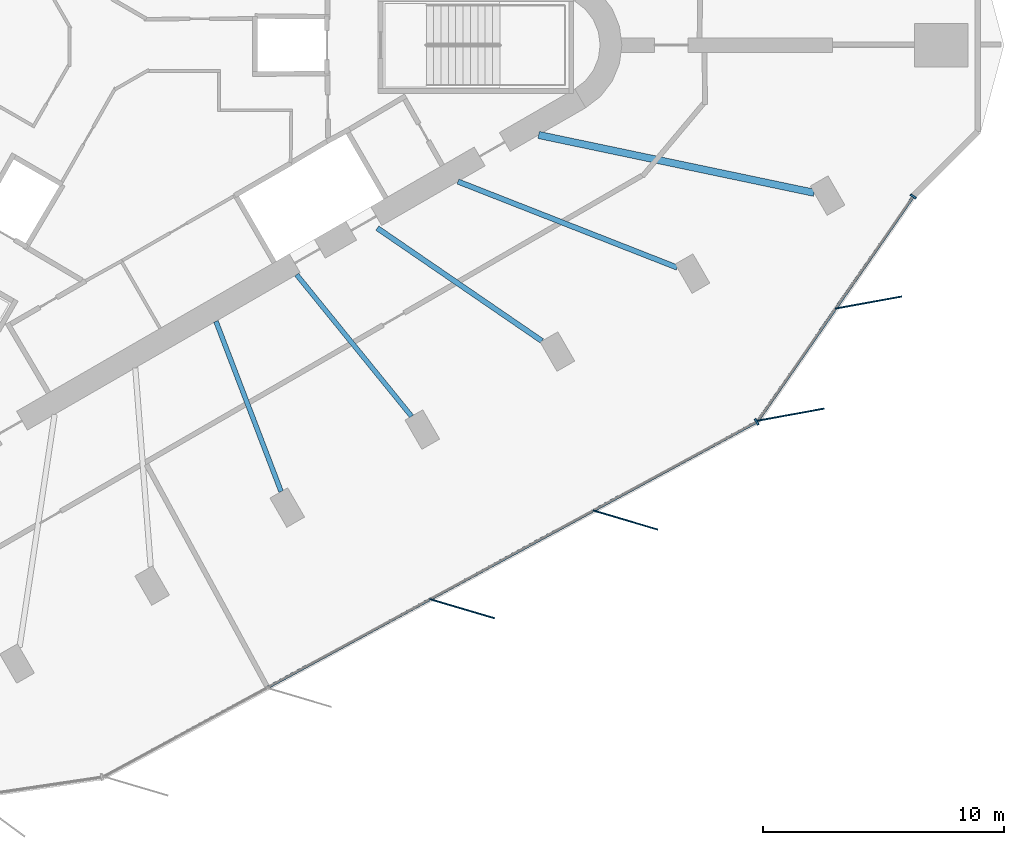
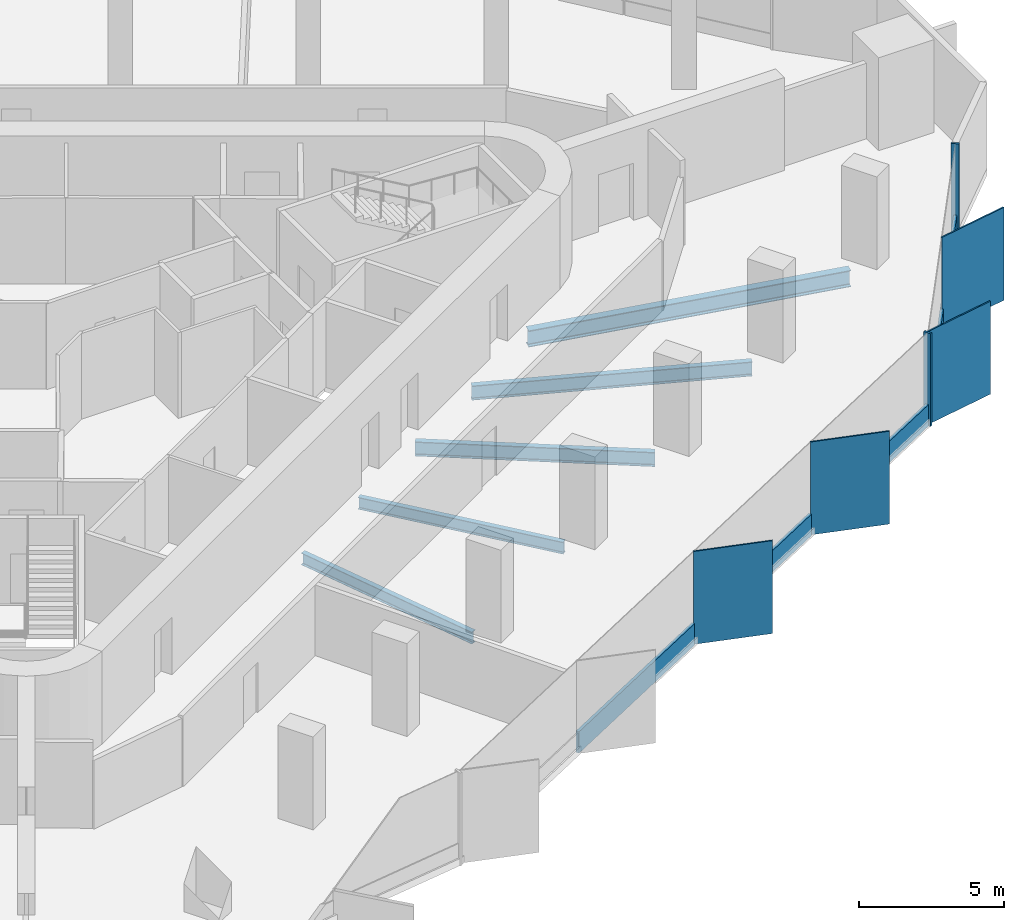
# One storey, part 3 of 13: 11 members, 5 beams, 2 elements without a shape of their own.
"""IFC4 building model written with IfcOpenShell, lengths in metres."""

from ifc_helpers import new_model, si_unit, direction, frame, origin, origin_2d, place, context, subcontext, project, spatial, rectangle, i_section, extrude, material, material_profile, profile_set, type_object, element, aggregate, save


model = new_model("IFC4")

# Units and contexts
model_context = context("Model", 3, precision=1e-05, world=origin(), true_north=direction((0.0, 1.0)))
body_context = subcontext(model_context, "Body", "Model", "MODEL_VIEW")
ifc_project = project(units=[si_unit("LENGTHUNIT", "METRE"), si_unit("AREAUNIT", "SQUARE_METRE"), si_unit("VOLUMEUNIT", "CUBIC_METRE"), si_unit("PLANEANGLEUNIT", "RADIAN"), si_unit("MASSUNIT", "GRAM", prefix="KILO")], contexts=[model_context])

# Site, building, storey
site_placement = place(None, origin())
site = spatial("IfcSite", under=ifc_project, at=site_placement, CompositionType="ELEMENT")
building_placement = place(site_placement, origin())
building = spatial("IfcBuilding", under=site, at=building_placement, Name="Tanit Gate Tower", CompositionType="ELEMENT")
storey_placement = place(building_placement, frame((0.0, 0.0, 329.89990234375)))
storey = spatial("IfcBuildingStorey", under=building, at=storey_placement, Name="L74", CompositionType="ELEMENT", Elevation=329.89990234375)

# Curtain wall, members
ifc_material_1 = material(Name="Aluminium bronze anodised and glass", Category="aluminium")
curtain_wall_type = type_object("IfcCurtainWallType", Name="Curtain wall typical high", PredefinedType="NOTDEFINED", material=ifc_material_1)
curtain_wall_1_placement = place(storey_placement, origin())
curtain_wall_1 = element("IfcCurtainWall", 1, at=curtain_wall_1_placement, inside=storey, type_object=curtain_wall_type, Name="Curtain wall L74 SE2", PredefinedType="NOTDEFINED")
ifc_material_2 = material(Name="Aluminium bronze anodised", Category="aluminium")
ifc_material_profile_1 = material_profile(ifc_material_2, rectangle(XDim=2.800048828125, YDim=0.055908203125, at=origin_2d()), Name="56x2800 bronze fin mullion")
ifc_profile_set_1 = profile_set([ifc_material_profile_1], Name="Aluminium bronze anodised")
member_type_1 = type_object("IfcMemberType", Name="FIN MULLION 56x2800 bronze", PredefinedType="MULLION", material=ifc_profile_set_1)
member_1_placement = place(storey_placement, frame((14.5791015625, -23.3525390625, -0.2998046875), z_axis=(0.0, 0.0, 1.0), x_axis=(-0.958852239174, 0.283905588939, 0.0)))
member_1 = element("IfcMember", 2, at=member_1_placement, type_object=member_type_1, Name="Fin mullion L74 SE2.3", PredefinedType="MULLION", context=body_context, shape_type="SweptSolid", body=[
    extrude(rectangle(XDim=2.800048828125, YDim=0.055908203125, at=origin_2d()), origin(), (0.0, 0.0, 1.0), 3.89990234375),
])
member_2_placement = place(storey_placement, frame((21.343505859375, -19.6787109375, -0.2998046875), z_axis=(0.0, 0.0, 1.0), x_axis=(-0.958852239174, 0.283905588939, 0.0)))
member_2 = element("IfcMember", 3, at=member_2_placement, type_object=member_type_1, Name="Fin mullion L74 SE2.4", PredefinedType="MULLION", context=body_context, shape_type="SweptSolid", body=[
    extrude(rectangle(XDim=2.800048828125, YDim=0.055908203125, at=origin_2d()), origin(), (0.0, 0.0, 1.0), 3.89990234375),
])

curtain_wall_2_placement = place(storey_placement, origin())
curtain_wall_2 = element("IfcCurtainWall", 4, at=curtain_wall_2_placement, inside=storey, type_object=curtain_wall_type, Name="Curtain wall L74 SE3", PredefinedType="NOTDEFINED")
member_3_placement = place(storey_placement, frame((28.2001953125, -15.314208984375, -0.2998046875), z_axis=(0.0, 0.0, 1.0), x_axis=(-0.983865562585, -0.178909347882, 0.0)))
member_3 = element("IfcMember", 5, at=member_3_placement, type_object=member_type_1, Name="Fin mullion L74 SE3.1", PredefinedType="MULLION", context=body_context, shape_type="SweptSolid", body=[
    extrude(rectangle(XDim=2.800048828125, YDim=0.055908203125, at=origin_2d()), origin(), (0.0, 0.0, 1.0), 3.89990234375),
])
member_4_placement = place(storey_placement, frame((31.416015625, -10.669189453125, -0.2998046875), z_axis=(0.0, 0.0, 1.0), x_axis=(-0.983865562585, -0.178909347882, 0.0)))
member_4 = element("IfcMember", 6, at=member_4_placement, type_object=member_type_1, Name="Fin mullion L74 SE3.2", PredefinedType="MULLION", context=body_context, shape_type="SweptSolid", body=[
    extrude(rectangle(XDim=2.800048828125, YDim=0.055908203125, at=origin_2d()), origin(), (0.0, 0.0, 1.0), 3.89990234375),
])

# Member
ifc_material_3 = material(Name="Aluminium bronze anodised", Category="aluminium")
ifc_material_profile_2 = material_profile(ifc_material_3, rectangle(XDim=0.280029296875, YDim=0.080078125, at=origin_2d()), Name="80x280 bronze mullion")
ifc_profile_set_2 = profile_set([ifc_material_profile_2], Name="Aluminium bronze anodised")
member_type_2 = type_object("IfcMemberType", Name="Mullion 80x280 typical high", PredefinedType="MULLION", material=ifc_profile_set_2)
member_5_placement = place(storey_placement, frame((26.784423828125, -15.613037109375, -0.2998046875), z_axis=(0.0, 0.0, 1.0), x_axis=(-0.477259353321, 0.878762487631, 0.0)))
member_5 = element("IfcMember", 7, at=member_5_placement, type_object=member_type_2, Name="Mullion L74 SE2.5", PredefinedType="MULLION", context=body_context, shape_type="SweptSolid", body=[
    extrude(rectangle(XDim=0.280029296875, YDim=0.080078125, at=origin_2d()), origin(), (0.0, 0.0, 1.0), 3.89990234375),
])

member_6_placement = place(storey_placement, frame((33.273681640625, -6.27099609375, -0.2998046875), z_axis=(0.0, 0.0, 1.0), x_axis=(-0.822206024185, 0.569189997974, 0.0)))
member_6 = element("IfcMember", 8, at=member_6_placement, type_object=member_type_2, Name="Mullion L74 SE3.3", PredefinedType="MULLION", context=body_context, shape_type="SweptSolid", body=[
    extrude(rectangle(XDim=0.280029296875, YDim=0.080078125, at=origin_2d()), origin(), (0.0, 0.0, 1.0), 3.89990234375),
])

# Beams
ifc_material_4 = material(Name="Steel S355", Category="steel")
ifc_material_profile_3 = material_profile(ifc_material_4, i_section(OverallWidth=0.300048828125, OverallDepth=0.68994140625, WebThickness=0.014404296875, FlangeThickness=0.027099609375, FilletRadius=0.027099609375, at=origin_2d()), Name="HEA 700")
ifc_profile_set_3 = profile_set([ifc_material_profile_3], Name="Steel S355")
beam_type_1 = type_object("IfcBeamType", Name="RADIAL GIRDER HEA 700 S355", PredefinedType="BEAM", material=ifc_profile_set_3)
beam_1_placement = place(storey_placement, frame((29.166015625, -6.119873046875, -0.64501953125), z_axis=(-0.978685947047, 0.205362647655, 0.0), x_axis=(-0.205362647655, -0.978685947047, 0.0)))
element("IfcBeam", 9, at=beam_1_placement, inside=storey, type_object=beam_type_1, Name="RADIAL GIRDER", PredefinedType="BEAM", context=body_context, shape_type="SweptSolid", body=[
    extrude(i_section(OverallWidth=0.300048828125, OverallDepth=0.68994140625, WebThickness=0.014404296875, FlangeThickness=0.027099609375, FilletRadius=0.027099609375, at=origin_2d()), origin(), (0.0, 0.0, 1.0), 11.662353515625),
])
ifc_material_5 = material(Name="Steel S355", Category="steel")
ifc_material_profile_4 = material_profile(ifc_material_5, i_section(OverallWidth=0.199951171875, OverallDepth=0.5, WebThickness=0.01025390625, FlangeThickness=0.01611328125, FilletRadius=0.02099609375, at=origin_2d()), Name="IPE 500")
ifc_profile_set_4 = profile_set([ifc_material_profile_4], Name="Steel S355")
beam_type_2 = type_object("IfcBeamType", Name="RADIAL GIRDER IPE 500 S355", PredefinedType="BEAM", material=ifc_profile_set_4)
for number, where, z_axis, x_axis, name in (
    (10, (7.07958984375, -18.502685546875, -0.5498046875), (-0.357365465254, 0.93396462687, 0.0), (-0.93396462687, -0.357365465254, 0.0), "RADIAL GIRDER"),
    (11, (12.484130859375, -15.38232421875, -0.5498046875), (-0.630160700976, 0.776464739023, 0.0), (-0.776464739023, -0.630160700976, 0.0), "RADIAL GIRDER"),
):
    element("IfcBeam", number, at=place(storey_placement, frame(where, z_axis=z_axis, x_axis=x_axis)), inside=storey, type_object=beam_type_2, Name=name, PredefinedType="BEAM", context=body_context, shape_type="SweptSolid", body=[
        extrude(i_section(OverallWidth=0.199951171875, OverallDepth=0.5, WebThickness=0.01025390625, FlangeThickness=0.01611328125, FilletRadius=0.02099609375, at=origin_2d()), origin(), (0.0, 0.0, 1.0), 7.555908203125),
    ])
ifc_material_6 = material(Name="Steel S355", Category="steel")
ifc_material_profile_5 = material_profile(ifc_material_6, i_section(OverallWidth=0.219970703125, OverallDepth=0.60009765625, WebThickness=0.011962890625, FlangeThickness=0.01904296875, FilletRadius=0.02392578125, at=origin_2d()), Name="IPE 600")
ifc_profile_set_5 = profile_set([ifc_material_profile_5], Name="Steel S355")
beam_type_3 = type_object("IfcBeamType", Name="RADIAL GIRDER IPE 600 S355", PredefinedType="BEAM", material=ifc_profile_set_5)
beam_2_placement = place(storey_placement, frame((17.888671875, -12.26220703125, -0.599853515625), z_axis=(-0.824811044423, 0.565408472698, 0.0), x_axis=(-0.565408472698, -0.824811044423, 0.0)))
element("IfcBeam", 12, at=beam_2_placement, inside=storey, type_object=beam_type_3, Name="RADIAL GIRDER", PredefinedType="BEAM", context=body_context, shape_type="SweptSolid", body=[
    extrude(i_section(OverallWidth=0.219970703125, OverallDepth=0.60009765625, WebThickness=0.011962890625, FlangeThickness=0.01904296875, FilletRadius=0.02392578125, at=origin_2d()), origin(), (0.0, 0.0, 1.0), 8.27197265625),
])
beam_3_placement = place(storey_placement, frame((23.4921875, -9.219970703125, -0.599853515625), z_axis=(-0.930869443065, 0.365351994614, 0.0), x_axis=(-0.365351994614, -0.930869443065, 0.0)))
element("IfcBeam", 13, at=beam_3_placement, inside=storey, type_object=beam_type_3, Name="RADIAL GIRDER", PredefinedType="BEAM", context=body_context, shape_type="SweptSolid", body=[
    extrude(i_section(OverallWidth=0.219970703125, OverallDepth=0.60009765625, WebThickness=0.011962890625, FlangeThickness=0.01904296875, FilletRadius=0.02392578125, at=origin_2d()), origin(), (0.0, 0.0, 1.0), 9.757568359375),
])

# Member
ifc_material_7 = material(Name="Aluminium bronze anodised", Category="aluminium")
ifc_material_profile_6 = material_profile(ifc_material_7, rectangle(XDim=0.1201171875, YDim=0.89990234375, at=origin_2d()), Name="120x900 bronze transom")
ifc_profile_set_6 = profile_set([ifc_material_profile_6], Name="Aluminium bronze anodised")
member_type_3 = type_object("IfcMemberType", Name="Transom 120x900 typical high", PredefinedType="USERDEFINED", material=ifc_profile_set_6)
member_7_placement = place(storey_placement, frame((6.5263671875, -26.615234375, 0.150146484375), z_axis=(0.878767412966, 0.477250284346, 0.0), x_axis=(-0.477250284346, 0.878767412966, 0.0)))
member_7 = element("IfcMember", 14, at=member_7_placement, type_object=member_type_3, Name="Transom L74 SE2.2", ObjectType="TRANSOM", PredefinedType="USERDEFINED", context=body_context, shape_type="SweptSolid", body=[
    extrude(rectangle(XDim=0.1201171875, YDim=0.89990234375, at=origin_2d()), origin(), (0.0, 0.0, 1.0), 7.61767578125),
])

member_8_placement = place(storey_placement, frame((13.290771484375, -22.94140625, 0.150146484375), z_axis=(0.878767412966, 0.477250284346, 0.0), x_axis=(-0.477250284346, 0.878767412966, 0.0)))
member_8 = element("IfcMember", 15, at=member_8_placement, type_object=member_type_3, Name="Transom L74 SE2.3", ObjectType="TRANSOM", PredefinedType="USERDEFINED", context=body_context, shape_type="SweptSolid", body=[
    extrude(rectangle(XDim=0.1201171875, YDim=0.89990234375, at=origin_2d()), origin(), (0.0, 0.0, 1.0), 7.61767578125),
])

member_9_placement = place(storey_placement, frame((20.05517578125, -19.267822265625, 0.150146484375), z_axis=(0.878767412966, 0.477250284346, 0.0), x_axis=(-0.477250284346, 0.878767412966, 0.0)))
member_9 = element("IfcMember", 16, at=member_9_placement, type_object=member_type_3, Name="Transom L74 SE2.4", ObjectType="TRANSOM", PredefinedType="USERDEFINED", context=body_context, shape_type="SweptSolid", body=[
    extrude(rectangle(XDim=0.1201171875, YDim=0.89990234375, at=origin_2d()), origin(), (0.0, 0.0, 1.0), 7.61767578125),
])

aggregate(curtain_wall_1, [member_1, member_2, member_5, member_7, member_8, member_9])

member_10_placement = place(storey_placement, frame((26.864990234375, -15.5283203125, 0.150146484375), z_axis=(0.569191743514, 0.822204815794, 0.0), x_axis=(-0.822204815794, 0.569191743514, 0.0)))
member_10 = element("IfcMember", 17, at=member_10_placement, type_object=member_type_3, Name="Transom L74 SE3.1", ObjectType="TRANSOM", PredefinedType="USERDEFINED", context=body_context, shape_type="SweptSolid", body=[
    extrude(rectangle(XDim=0.1201171875, YDim=0.89990234375, at=origin_2d()), origin(), (0.0, 0.0, 1.0), 5.569580078125),
])

member_11_placement = place(storey_placement, frame((30.080810546875, -10.883056640625, 0.150146484375), z_axis=(0.569212258307, 0.82219061354, 0.0), x_axis=(-0.82219061354, 0.569212258307, 0.0)))
member_11 = element("IfcMember", 18, at=member_11_placement, type_object=member_type_3, Name="Transom L74 SE3.2", ObjectType="TRANSOM", PredefinedType="USERDEFINED", context=body_context, shape_type="SweptSolid", body=[
    extrude(rectangle(XDim=0.1201171875, YDim=0.89990234375, at=origin_2d()), origin(), (0.0, 0.0, 1.0), 5.5693359375),
])

aggregate(curtain_wall_2, [member_3, member_4, member_6, member_10, member_11])

save(model, "model.ifc")
